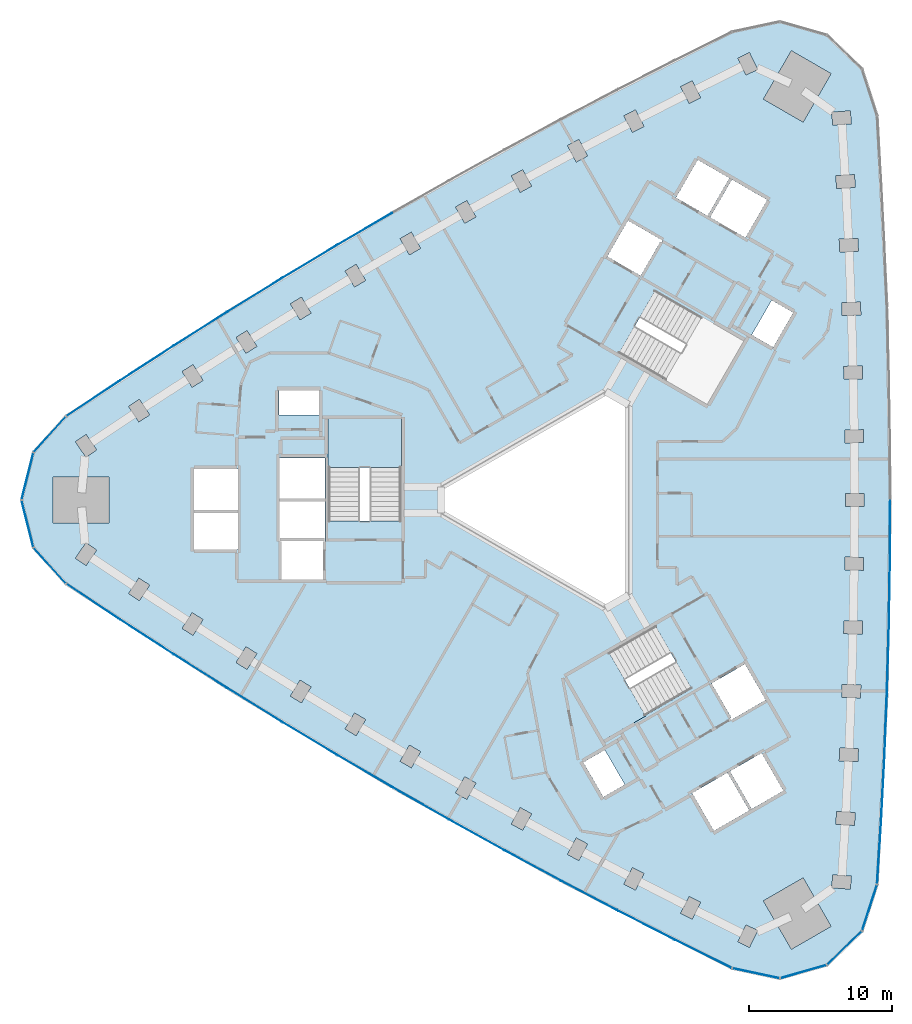
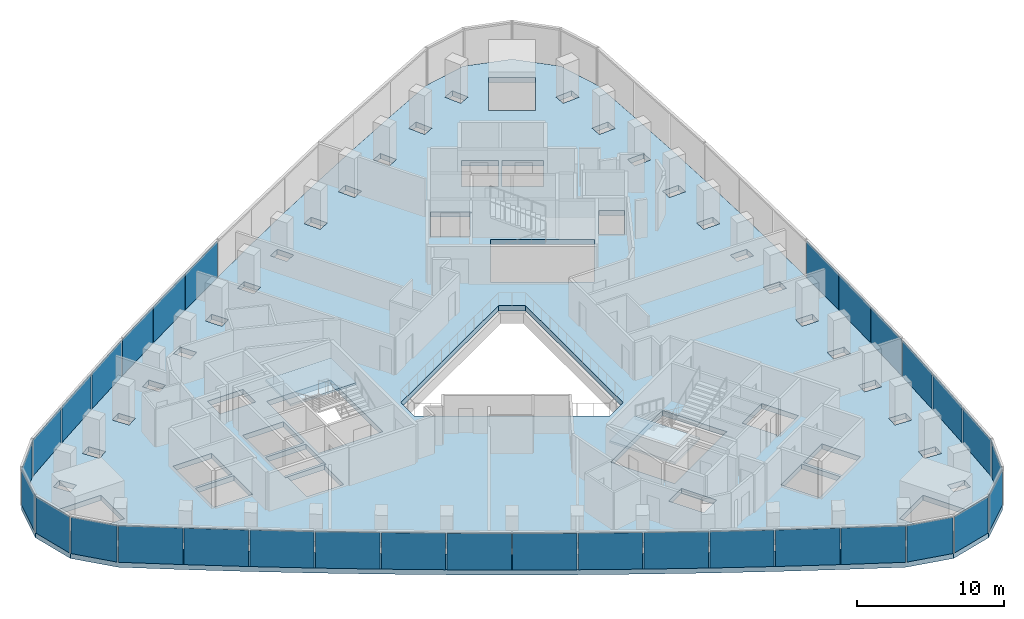
# One storey, part 6 of 12: 32 plates, 3 slabs, 5 elements without a shape of their own.
"""IFC4 building model written with IfcOpenShell, lengths in metres."""

from ifc_helpers import new_model, si_unit, direction, frame, origin, origin_2d, place, context, subcontext, project, spatial, polyline, rectangle, outline, extrude, material, layer, layer_set, type_object, element, aggregate, save


model = new_model("IFC4")

# Units and contexts
model_context = context("Model", 3, precision=1e-05, world=origin(), true_north=direction((0.0, 1.0)))
body_context = subcontext(model_context, "Body", "Model", "MODEL_VIEW")
ifc_project = project(units=[si_unit("LENGTHUNIT", "METRE"), si_unit("AREAUNIT", "SQUARE_METRE"), si_unit("VOLUMEUNIT", "CUBIC_METRE"), si_unit("PLANEANGLEUNIT", "RADIAN"), si_unit("MASSUNIT", "GRAM", prefix="KILO")], contexts=[model_context])

# Site, building, storey
site_placement = place(None, origin())
site = spatial("IfcSite", under=ifc_project, at=site_placement, CompositionType="ELEMENT")
building_placement = place(site_placement, origin())
building = spatial("IfcBuilding", under=site, at=building_placement, Name="Tamra Quay Hotel Tower", CompositionType="ELEMENT")
storey_placement = place(building_placement, frame((0.0, 0.0, 93.800048828125)))
storey = spatial("IfcBuildingStorey", under=building, at=storey_placement, Name="L22", CompositionType="ELEMENT", Elevation=93.800048828125)

# Stair, slab
ifc_material_1 = material(Name="Exit stair 2200 24 risers 150.0 going 342")
stair_type = type_object("IfcStairType", Name="Exit stair 2200 24 risers 150.0 going 342", PredefinedType="HALF_TURN_STAIR", material=ifc_material_1)
stair_1_placement = place(storey_placement, origin())
stair_1 = element("IfcStair", 1, at=stair_1_placement, inside=storey, type_object=stair_type, Name="L22 Exit stair ST3", PredefinedType="HALF_TURN_STAIR")
ifc_material_2 = material(Name="Concrete M70", Category="concrete")
ifc_layer_1 = layer(ifc_material_2, 0.175048828125)
ifc_layer_set_1 = layer_set([ifc_layer_1], Name="Concrete M70 stair landing 180")
slab_type_1 = type_object("IfcSlabType", Name="Concrete M70 stair landing 180", PredefinedType="LANDING", material=ifc_layer_set_1)
slab_1_placement = place(storey_placement, frame((0.0, 0.0, 1.625)))
slab_1 = element("IfcSlab", 2, at=slab_1_placement, type_object=slab_type_1, Name="ST3 landing 1", PredefinedType="LANDING", context=body_context, shape_type="SweptSolid", body=[
    extrude(outline(polyline([(-10.932373046875, 2.261962890625), (-10.932373046875, 5.679931640625), (-16.09130859375, 5.679931640625), (-16.09130859375, 2.261962890625), (-10.932373046875, 2.261962890625)])), origin(), (0.0, 0.0, 1.0), 0.175048828125),
])
aggregate(stair_1, [slab_1])

stair_2_placement = place(storey_placement, origin())
stair_2 = element("IfcStair", 3, at=stair_2_placement, inside=storey, type_object=stair_type, Name="L22 Exit stair ST2", PredefinedType="HALF_TURN_STAIR")
slab_2_placement = place(storey_placement, frame((0.0, 0.0, 1.625)))
slab_2 = element("IfcSlab", 4, at=slab_2_placement, type_object=slab_type_1, Name="ST2 landing 1", PredefinedType="LANDING", context=body_context, shape_type="SweptSolid", body=[
    extrude(outline(polyline([(3.50732421875, -10.5986328125), (0.547119140625, -12.3076171875), (3.126708984375, -16.775390625), (6.086669921875, -15.06640625), (3.50732421875, -10.5986328125)])), origin(), (0.0, 0.0, 1.0), 0.175048828125),
])
aggregate(stair_2, [slab_2])

# Slab
ifc_material_3 = material(Name="Concrete M60", Category="concrete")
ifc_layer_2 = layer(ifc_material_3, 0.425048828125)
ifc_layer_set_2 = layer_set([ifc_layer_2], Name="FLOOR SLAB PT 425")
slab_type_2 = type_object("IfcSlabType", Name="FLOOR SLAB PT 425", PredefinedType="FLOOR", material=ifc_layer_set_2)
slab_3_placement = place(storey_placement, frame((0.0, 0.0, -0.425048828125)))
element("IfcSlab", 5, at=slab_3_placement, inside=storey, type_object=slab_type_2, Name="SLAB-L22", PredefinedType="FLOOR", context=body_context, shape_type="SweptSolid", body=[
    extrude(outline(polyline([(22.506591796875, 22.354248046875), (22.736083984375, 17.886962890625), (22.914794921875, 13.417236328125), (23.04248046875, 8.94580078125), (23.119140625, 4.47314453125), (23.144775390625, 0.0), (23.119140625, -4.47314453125), (23.04248046875, -8.94580078125), (22.914794921875, -13.417236328125), (22.736083984375, -17.886962890625), (22.506591796875, -22.354248046875), (22.226318359375, -26.81787109375), (21.1767578125, -30.062255859375), (18.724609375, -32.43212890625), (15.4462890625, -33.370849609375), (12.11181640625, -32.657470703125), (8.10595703125, -30.66845703125), (4.122314453125, -28.633544921875), (0.162109375, -26.553466796875), (-3.77392578125, -24.42822265625), (-7.685791015625, -22.25830078125), (-11.572509765625, -20.0439453125), (-15.43359375, -17.78515625), (-19.2685546875, -15.482666015625), (-23.0771484375, -13.13623046875), (-26.858642578125, -10.74658203125), (-30.612548828125, -8.314208984375), (-34.337890625, -5.839599609375), (-36.623046875, -3.308349609375), (-37.449462890625, 0.0), (-36.623046875, 3.308349609375), (-34.337890625, 5.839599609375), (-30.612548828125, 8.314208984375), (-26.858642578125, 10.74658203125), (-23.0771484375, 13.13623046875), (-19.2685546875, 15.482666015625), (-15.43359375, 17.78515625), (-11.572509765625, 20.0439453125), (-7.685791015625, 22.25830078125), (-3.77392578125, 24.42822265625), (0.162109375, 26.553466796875), (4.122314453125, 28.633544921875), (8.10595703125, 30.66845703125), (12.11181640625, 32.657470703125), (15.4462890625, 33.370849609375), (18.724609375, 32.43212890625), (21.1767578125, 30.062255859375), (22.226318359375, 26.81787109375), (22.506591796875, 22.354248046875)]), holes=[polyline([(-14.884521484375, -15.9765625), (-14.1103515625, -16.435302734375), (-13.447509765625, -15.317138671875), (-14.2216796875, -14.858154296875), (-14.884521484375, -15.9765625)]), polyline([(-18.0234375, -12.569580078125), (-18.698974609375, -13.680419921875), (-17.929931640625, -14.14794921875), (-17.25439453125, -13.037353515625), (-18.0234375, -12.569580078125)]), polyline([(-21.798583984375, -10.23779296875), (-22.487060546875, -11.340576171875), (-21.723388671875, -11.817138671875), (-21.03515625, -10.714111328125), (-21.798583984375, -10.23779296875)]), polyline([(-25.547119140625, -7.86279296875), (-26.248046875, -8.9580078125), (-25.489990234375, -9.443115234375), (-24.789306640625, -8.34814453125), (-25.547119140625, -7.86279296875)]), polyline([(-29.268310546875, -5.445556640625), (-29.981689453125, -6.532470703125), (-29.229248046875, -7.026123046875), (-28.51611328125, -5.939453125), (-29.268310546875, -5.445556640625)]), polyline([(-16.3173828125, -2.85498046875), (-19.4072265625, -2.85498046875), (-19.4072265625, -2.89306640625), (-19.307373046875, -2.89306640625), (-19.307373046875, -5.544921875), (-16.417236328125, -5.544921875), (-16.417236328125, -2.89306640625), (-16.3173828125, -2.89306640625), (-16.3173828125, -2.85498046875)]), polyline([(-32.96240234375, -2.986083984375), (-33.6875, -4.06494140625), (-32.9404296875, -4.56689453125), (-32.215576171875, -3.488037109375), (-32.96240234375, -2.986083984375)]), polyline([(-22.3671875, -3.445068359375), (-22.3671875, -0.905029296875), (-25.4072265625, -0.905029296875), (-25.4072265625, -3.445068359375), (-22.3671875, -3.445068359375)]), polyline([(-19.417236328125, -2.89306640625), (-19.417236328125, -2.64501953125), (-16.307373046875, -2.64501953125), (-16.307373046875, -2.89306640625), (-16.26708984375, -2.89306640625), (-16.26708984375, -0.10498046875), (-19.45751953125, -0.10498046875), (-19.45751953125, -2.89306640625), (-19.417236328125, -2.89306640625)]), polyline([(-31.36376953125, 1.60009765625), (-35.263671875, 1.60009765625), (-35.263671875, -1.60009765625), (-31.36376953125, -1.60009765625), (-31.36376953125, 1.60009765625)]), polyline([(-25.4072265625, -0.695068359375), (-22.3671875, -0.695068359375), (-22.3671875, 2.14501953125), (-25.4072265625, 2.14501953125), (-25.4072265625, -0.695068359375)]), polyline([(-19.45751953125, 0.10498046875), (-16.26708984375, 0.10498046875), (-16.26708984375, 2.945068359375), (-19.45751953125, 2.945068359375), (-19.45751953125, 0.10498046875)]), polyline([(-16.036376953125, -1.455078125), (-10.9873046875, -1.455078125), (-10.9873046875, 5.625), (-16.036376953125, 5.625), (-16.036376953125, -1.455078125)]), polyline([(-32.215576171875, 3.488037109375), (-32.9404296875, 4.56689453125), (-33.6875, 4.06494140625), (-32.96240234375, 2.986083984375), (-32.215576171875, 3.488037109375)]), polyline([(-28.51611328125, 5.939453125), (-29.229248046875, 7.026123046875), (-29.981689453125, 6.532470703125), (-29.268310546875, 5.445556640625), (-28.51611328125, 5.939453125)]), polyline([(-19.50732421875, 7.64501953125), (-19.50732421875, 5.9150390625), (-16.71728515625, 5.9150390625), (-16.71728515625, 7.64501953125), (-19.50732421875, 7.64501953125)]), polyline([(-24.789306640625, 8.34814453125), (-25.489990234375, 9.443115234375), (-26.248046875, 8.9580078125), (-25.547119140625, 7.86279296875), (-24.789306640625, 8.34814453125)]), polyline([(-21.03515625, 10.714111328125), (-21.723388671875, 11.817138671875), (-22.487060546875, 11.340576171875), (-21.798583984375, 10.23779296875), (-21.03515625, 10.714111328125)]), polyline([(-17.25439453125, 13.037353515625), (-17.929931640625, 14.14794921875), (-18.698974609375, 13.680419921875), (-18.0234375, 12.569580078125), (-17.25439453125, 13.037353515625)]), polyline([(-13.447509765625, 15.317138671875), (-14.1103515625, 16.435302734375), (-14.884521484375, 15.9765625), (-14.2216796875, 14.858154296875), (-13.447509765625, 15.317138671875)]), polyline([(9.1142578125, -27.665283203125), (8.52978515625, -28.826416015625), (9.33349609375, -29.231201171875), (9.918212890625, -28.070068359375), (9.1142578125, -27.665283203125)]), polyline([(5.164794921875, -25.64208984375), (4.567138671875, -26.79638671875), (5.3662109375, -27.210205078125), (5.964111328125, -26.055908203125), (5.164794921875, -25.64208984375)]), polyline([(1.23876953125, -23.57421875), (0.627685546875, -24.721435546875), (1.422119140625, -25.14453125), (2.033203125, -23.9970703125), (1.23876953125, -23.57421875)]), polyline([(-2.663330078125, -21.46142578125), (-3.28759765625, -22.601806640625), (-2.498046875, -23.033935546875), (-1.873779296875, -21.8935546875), (-2.663330078125, -21.46142578125)]), polyline([(13.3056640625, -21.65576171875), (11.78564453125, -19.02294921875), (9.325927734375, -20.443115234375), (10.845947265625, -23.075927734375), (13.3056640625, -21.65576171875)]), polyline([(-6.541259765625, -19.304443359375), (-7.17822265625, -20.437744140625), (-6.393798828125, -20.878662109375), (-5.756591796875, -19.74560546875), (-6.541259765625, -19.304443359375)]), polyline([(1.73779296875, -18.300048828125), (3.1328125, -20.71630859375), (4.631103515625, -19.851318359375), (3.236083984375, -17.43505859375), (1.73779296875, -18.300048828125)]), polyline([(-10.394287109375, -17.103271484375), (-11.044189453125, -18.22900390625), (-10.264892578125, -18.67919921875), (-9.61474609375, -17.55322265625), (-10.394287109375, -17.103271484375)]), polyline([(10.68115234375, -12.790283203125), (12.05615234375, -15.171875), (11.969482421875, -15.2216796875), (12.03955078125, -15.343017578125), (14.455810546875, -13.947998046875), (13.0107421875, -11.4453125), (10.68115234375, -12.790283203125)]), polyline([(9.2783203125, -13.160400390625), (6.75390625, -8.78759765625), (0.622314453125, -12.32763671875), (3.146728515625, -16.7001953125), (9.2783203125, -13.160400390625)]), polyline([(-8.199951171875, 0.923828125), (-8.199951171875, -0.923828125), (3.300048828125, -7.563232421875), (4.89990234375, -6.639404296875), (4.89990234375, 6.639404296875), (3.300048828125, 7.563232421875), (-8.199951171875, 0.923828125)]), polyline([(6.758056640625, 14.615478515625), (4.2333984375, 10.242919921875), (10.364990234375, 6.702880859375), (12.889404296875, 11.075439453125), (6.758056640625, 14.615478515625)]), polyline([(5.736083984375, 15.645263671875), (7.111083984375, 18.02685546875), (7.19775390625, 17.976806640625), (7.267578125, 18.09814453125), (4.8515625, 19.4931640625), (3.406494140625, 16.990234375), (5.736083984375, 15.645263671875)]), polyline([(-9.61474609375, 17.55322265625), (-10.264892578125, 18.67919921875), (-11.044189453125, 18.22900390625), (-10.394287109375, 17.103271484375), (-9.61474609375, 17.55322265625)]), polyline([(-5.756591796875, 19.74560546875), (-6.393798828125, 20.878662109375), (-7.17822265625, 20.437744140625), (-6.541259765625, 19.304443359375), (-5.756591796875, 19.74560546875)]), polyline([(8.2001953125, 21.093017578125), (10.39990234375, 19.822998046875), (11.919921875, 22.455810546875), (9.72021484375, 23.725830078125), (8.2001953125, 21.093017578125)]), polyline([(-1.873779296875, 21.8935546875), (-2.498046875, 23.033935546875), (-3.28759765625, 22.601806640625), (-2.663330078125, 21.46142578125), (-1.873779296875, 21.8935546875)]), polyline([(2.033203125, 23.9970703125), (1.422119140625, 25.14453125), (0.627685546875, 24.721435546875), (1.23876953125, 23.57421875), (2.033203125, 23.9970703125)]), polyline([(5.964111328125, 26.055908203125), (5.3662109375, 27.210205078125), (4.567138671875, 26.79638671875), (5.164794921875, 25.64208984375), (5.964111328125, 26.055908203125)]), polyline([(9.918212890625, 28.070068359375), (9.33349609375, 29.231201171875), (8.52978515625, 28.826416015625), (9.1142578125, 27.665283203125), (9.918212890625, 28.070068359375)]), polyline([(13.0869140625, -29.643310546875), (12.51513671875, -30.810791015625), (13.323486328125, -31.206787109375), (13.895263671875, -30.039306640625), (13.0869140625, -29.643310546875)]), polyline([(14.296142578125, -27.9619140625), (16.24609375, -31.339111328125), (19.017333984375, -29.7392578125), (17.0673828125, -26.36181640625), (14.296142578125, -27.9619140625)]), polyline([(19.067138671875, -27.05322265625), (20.3642578125, -27.141845703125), (20.42529296875, -26.243896484375), (19.12841796875, -26.155517578125), (19.067138671875, -27.05322265625)]), polyline([(19.350341796875, -22.624267578125), (20.648193359375, -22.698486328125), (20.699462890625, -21.800048828125), (19.401611328125, -21.725830078125), (19.350341796875, -22.624267578125)]), polyline([(14.1669921875, -17.648193359375), (11.96728515625, -18.91796875), (13.487548828125, -21.55078125), (15.68701171875, -20.281005859375), (14.1669921875, -17.648193359375)]), polyline([(20.8818359375, -18.25244140625), (20.9228515625, -17.353515625), (19.624267578125, -17.2939453125), (19.5830078125, -18.193115234375), (20.8818359375, -18.25244140625)]), polyline([(19.765380859375, -13.75927734375), (21.064697265625, -13.803955078125), (21.095703125, -12.904541015625), (19.79638671875, -12.85986328125), (19.765380859375, -13.75927734375)]), polyline([(19.897216796875, -9.323974609375), (21.197021484375, -9.353759765625), (21.217529296875, -8.453857421875), (19.91796875, -8.424072265625), (19.897216796875, -9.323974609375)]), polyline([(19.978515625, -4.88720703125), (21.2783203125, -4.902099609375), (21.288818359375, -4.002197265625), (19.98876953125, -3.9873046875), (19.978515625, -4.88720703125)]), polyline([(20.009033203125, -0.449951171875), (21.30908203125, -0.449951171875), (21.30908203125, 0.449951171875), (20.009033203125, 0.449951171875), (20.009033203125, -0.449951171875)]), polyline([(19.98876953125, 3.9873046875), (21.288818359375, 4.002197265625), (21.2783203125, 4.902099609375), (19.978515625, 4.88720703125), (19.98876953125, 3.9873046875)]), polyline([(19.91796875, 8.424072265625), (21.217529296875, 8.453857421875), (21.197021484375, 9.353759765625), (19.897216796875, 9.323974609375), (19.91796875, 8.424072265625)]), polyline([(14.9794921875, 10.655029296875), (16.37451171875, 13.0712890625), (14.876220703125, 13.936279296875), (13.481201171875, 11.52001953125), (14.9794921875, 10.655029296875)]), polyline([(19.79638671875, 12.85986328125), (21.095703125, 12.904541015625), (21.064697265625, 13.803955078125), (19.765380859375, 13.75927734375), (19.79638671875, 12.85986328125)]), polyline([(19.624267578125, 17.2939453125), (20.9228515625, 17.353515625), (20.8818359375, 18.25244140625), (19.5830078125, 18.193115234375), (19.624267578125, 17.2939453125)]), polyline([(12.101806640625, 22.350830078125), (10.58154296875, 19.718017578125), (13.041259765625, 18.298095703125), (14.561279296875, 20.930908203125), (12.101806640625, 22.350830078125)]), polyline([(19.401611328125, 21.725830078125), (20.699462890625, 21.800048828125), (20.648193359375, 22.698486328125), (19.350341796875, 22.624267578125), (19.401611328125, 21.725830078125)]), polyline([(19.12841796875, 26.155517578125), (20.42529296875, 26.243896484375), (20.3642578125, 27.141845703125), (19.067138671875, 27.05322265625), (19.12841796875, 26.155517578125)]), polyline([(17.0673828125, 26.36181640625), (19.017333984375, 29.7392578125), (16.24609375, 31.339111328125), (14.296142578125, 27.9619140625), (17.0673828125, 26.36181640625)]), polyline([(13.895263671875, 30.039306640625), (13.323486328125, 31.206787109375), (12.51513671875, 30.810791015625), (13.0869140625, 29.643310546875), (13.895263671875, 30.039306640625)])]), origin(), (0.0, 0.0, 1.0), 0.425048828125),
])

# Curtain wall, plates
ifc_material_4 = material(Name="Aluminium 6063 anodised dark grey", Category="aluminium")
curtain_wall_type_1 = type_object("IfcCurtainWallType", Name="CW1 CURTAIN WALL", PredefinedType="NOTDEFINED", material=ifc_material_4)
curtain_wall_1_placement = place(storey_placement, origin())
curtain_wall_1 = element("IfcCurtainWall", 6, at=curtain_wall_1_placement, inside=storey, type_object=curtain_wall_type_1, Name="CW1 east face L22", PredefinedType="NOTDEFINED")
ifc_material_5 = material(Name="Glass clear laminated low-iron", Category="glass")
ifc_layer_3 = layer(ifc_material_5, 0.033935546875)
ifc_layer_set_3 = layer_set([ifc_layer_3], Name="GLASS PANEL CW1 Z2")
plate_type_1 = type_object("IfcPlateType", Name="GLASS PANEL CW1 Z2", PredefinedType="CURTAIN_PANEL", material=ifc_layer_set_3)
plate_1_placement = place(storey_placement, frame((22.366455078125, -24.5859375, 0.0), z_axis=(0.0, 0.0, 1.0), x_axis=(0.062669917068, 0.998034308776, 0.0)))
plate_1 = element("IfcPlate", 7, at=plate_1_placement, type_object=plate_type_1, Name="CW1 glass L22.E.1", PredefinedType="CURTAIN_PANEL", context=body_context, shape_type="SweptSolid", body=[
    extrude(rectangle(XDim=4.372314453125, YDim=0.033935546875, at=origin_2d()), origin(), (0.0, 0.0, 1.0), 3.034912109375),
])
plate_2_placement = place(storey_placement, frame((22.621337890625, -20.12060546875, 0.0), z_axis=(0.0, 0.0, 1.0), x_axis=(0.051320736558, 0.998682222731, 0.0)))
plate_2 = element("IfcPlate", 8, at=plate_2_placement, type_object=plate_type_1, Name="CW1 glass L22.E.2", PredefinedType="CURTAIN_PANEL", context=body_context, shape_type="SweptSolid", body=[
    extrude(rectangle(XDim=4.373291015625, YDim=0.033935546875, at=origin_2d()), origin(), (0.0, 0.0, 1.0), 3.034912109375),
])
plate_3_placement = place(storey_placement, frame((22.825439453125, -15.652099609375, 0.0), z_axis=(0.0, 0.0, 1.0), x_axis=(0.039943885581, 0.99920192454, 0.0)))
plate_3 = element("IfcPlate", 9, at=plate_3_placement, type_object=plate_type_1, Name="CW1 glass L22.E.3", PredefinedType="CURTAIN_PANEL", context=body_context, shape_type="SweptSolid", body=[
    extrude(rectangle(XDim=4.373291015625, YDim=0.033935546875, at=origin_2d()), origin(), (0.0, 0.0, 1.0), 3.034912109375),
])
plate_4_placement = place(storey_placement, frame((22.978759765625, -11.181396484375, 0.0), z_axis=(0.0, 0.0, 1.0), x_axis=(0.028546324212, 0.999592470647, 0.0)))
plate_4 = element("IfcPlate", 10, at=plate_4_placement, type_object=plate_type_1, Name="CW1 glass L22.E.4", PredefinedType="CURTAIN_PANEL", context=body_context, shape_type="SweptSolid", body=[
    extrude(rectangle(XDim=4.373291015625, YDim=0.033935546875, at=origin_2d()), origin(), (0.0, 0.0, 1.0), 3.034912109375),
])
plate_5_placement = place(storey_placement, frame((23.080810546875, -6.70947265625, 0.0), z_axis=(0.0, 0.0, 1.0), x_axis=(0.017133948461, 0.99985320313, 0.0)))
plate_5 = element("IfcPlate", 11, at=plate_5_placement, type_object=plate_type_1, Name="CW1 glass L22.E.5", PredefinedType="CURTAIN_PANEL", context=body_context, shape_type="SweptSolid", body=[
    extrude(rectangle(XDim=4.373291015625, YDim=0.033935546875, at=origin_2d()), origin(), (0.0, 0.0, 1.0), 3.034912109375),
])
plate_6_placement = place(storey_placement, frame((23.132080078125, -2.236572265625, 0.0), z_axis=(0.0, 0.0, 1.0), x_axis=(0.00571269185, 0.999983682443, 0.0)))
plate_6 = element("IfcPlate", 12, at=plate_6_placement, type_object=plate_type_1, Name="CW1 glass L22.E.6", PredefinedType="CURTAIN_PANEL", context=body_context, shape_type="SweptSolid", body=[
    extrude(rectangle(XDim=4.373291015625, YDim=0.033935546875, at=origin_2d()), origin(), (0.0, 0.0, 1.0), 3.034912109375),
])
aggregate(curtain_wall_1, [plate_1, plate_2, plate_3, plate_4, plate_5, plate_6])

curtain_wall_type_2 = type_object("IfcCurtainWallType", Name="CW2 CURTAIN WALL", PredefinedType="NOTDEFINED", material=ifc_material_4)
curtain_wall_2_placement = place(storey_placement, origin())
curtain_wall_2 = element("IfcCurtainWall", 13, at=curtain_wall_2_placement, inside=storey, type_object=curtain_wall_type_2, Name="CW2 north-west face L22", PredefinedType="NOTDEFINED")
ifc_layer_4 = layer(ifc_material_5, 0.033935546875)
ifc_layer_set_4 = layer_set([ifc_layer_4], Name="GLASS PANEL CW2 Z2")
plate_type_2 = type_object("IfcPlateType", Name="GLASS PANEL CW2 Z2", PredefinedType="CURTAIN_PANEL", material=ifc_layer_set_4)
plate_7_placement = place(storey_placement, frame((-13.5029296875, 18.91455078125, 0.0), z_axis=(0.0, 0.0, 1.0), x_axis=(-0.86315492644, -0.504939177488, 0.0)))
plate_7 = element("IfcPlate", 14, at=plate_7_placement, type_object=plate_type_2, Name="CW2 glass L22.NW.7", PredefinedType="CURTAIN_PANEL", context=body_context, shape_type="SweptSolid", body=[
    extrude(rectangle(XDim=4.373291015625, YDim=0.033935546875, at=origin_2d()), origin(), (0.0, 0.0, 1.0), 3.034912109375),
])
plate_8_placement = place(storey_placement, frame((-17.35107421875, 16.6337890625, 0.0), z_axis=(0.0, 0.0, 1.0), x_axis=(-0.857331299736, -0.5147650362, 0.0)))
plate_8 = element("IfcPlate", 15, at=plate_8_placement, type_object=plate_type_2, Name="CW2 glass L22.NW.8", PredefinedType="CURTAIN_PANEL", context=body_context, shape_type="SweptSolid", body=[
    extrude(rectangle(XDim=4.373291015625, YDim=0.033935546875, at=origin_2d()), origin(), (0.0, 0.0, 1.0), 3.034912109375),
])
plate_9_placement = place(storey_placement, frame((-21.1728515625, 14.309326171875, 0.0), z_axis=(0.0, 0.0, 1.0), x_axis=(-0.851399310906, -0.524518077276, 0.0)))
plate_9 = element("IfcPlate", 16, at=plate_9_placement, type_object=plate_type_2, Name="CW2 glass L22.NW.9", PredefinedType="CURTAIN_PANEL", context=body_context, shape_type="SweptSolid", body=[
    extrude(rectangle(XDim=4.373291015625, YDim=0.033935546875, at=origin_2d()), origin(), (0.0, 0.0, 1.0), 3.034912109375),
])
plate_10_placement = place(storey_placement, frame((-24.9677734375, 11.94140625, 0.0), z_axis=(0.0, 0.0, 1.0), x_axis=(-0.845362307372, -0.534193381909, 0.0)))
plate_10 = element("IfcPlate", 17, at=plate_10_placement, type_object=plate_type_2, Name="CW2 glass L22.NW.10", PredefinedType="CURTAIN_PANEL", context=body_context, shape_type="SweptSolid", body=[
    extrude(rectangle(XDim=4.373291015625, YDim=0.033935546875, at=origin_2d()), origin(), (0.0, 0.0, 1.0), 3.034912109375),
])
plate_11_placement = place(storey_placement, frame((-28.735595703125, 9.530517578125, 0.0), z_axis=(0.0, 0.0, 1.0), x_axis=(-0.839223806914, -0.543786172966, 0.0)))
plate_11 = element("IfcPlate", 18, at=plate_11_placement, type_object=plate_type_2, Name="CW2 glass L22.NW.11", PredefinedType="CURTAIN_PANEL", context=body_context, shape_type="SweptSolid", body=[
    extrude(rectangle(XDim=4.373291015625, YDim=0.033935546875, at=origin_2d()), origin(), (0.0, 0.0, 1.0), 3.034912109375),
])
plate_12_placement = place(storey_placement, frame((-32.475341796875, 7.076904296875, 0.0), z_axis=(0.0, 0.0, 1.0), x_axis=(-0.832988106715, -0.553290894622, 0.0)))
plate_12 = element("IfcPlate", 19, at=plate_12_placement, type_object=plate_type_2, Name="CW2 glass L22.NW.12", PredefinedType="CURTAIN_PANEL", context=body_context, shape_type="SweptSolid", body=[
    extrude(rectangle(XDim=4.372314453125, YDim=0.033935546875, at=origin_2d()), origin(), (0.0, 0.0, 1.0), 3.034912109375),
])
plate_13_placement = place(storey_placement, frame((-35.48046875, 4.573974609375, 0.0), z_axis=(0.0, 0.0, 1.0), x_axis=(-0.670087934649, -0.742281725383, 0.0)))
plate_13 = element("IfcPlate", 20, at=plate_13_placement, type_object=plate_type_2, Name="CW2 glass L22.NW.13", PredefinedType="CURTAIN_PANEL", context=body_context, shape_type="SweptSolid", body=[
    extrude(rectangle(XDim=3.31005859375, YDim=0.033935546875, at=origin_2d()), origin(), (0.0, 0.0, 1.0), 3.034912109375),
])
plate_14_placement = place(storey_placement, frame((-37.036376953125, 1.654296875, 0.0), z_axis=(0.0, 0.0, 1.0), x_axis=(-0.242338764242, -0.970191694123, 0.0)))
plate_14 = element("IfcPlate", 21, at=plate_14_placement, type_object=plate_type_2, Name="CW2 glass L22.NW.14", PredefinedType="CURTAIN_PANEL", context=body_context, shape_type="SweptSolid", body=[
    extrude(rectangle(XDim=3.31005859375, YDim=0.033935546875, at=origin_2d()), origin(), (0.0, 0.0, 1.0), 3.034912109375),
])
plate_15_placement = place(storey_placement, frame((-37.036376953125, -1.654296875, 0.0), z_axis=(0.0, 0.0, 1.0), x_axis=(0.242338764242, -0.970191694123, 0.0)))
plate_15 = element("IfcPlate", 22, at=plate_15_placement, type_object=plate_type_2, Name="CW2 glass L22.NW.15", PredefinedType="CURTAIN_PANEL", context=body_context, shape_type="SweptSolid", body=[
    extrude(rectangle(XDim=3.31005859375, YDim=0.033935546875, at=origin_2d()), origin(), (0.0, 0.0, 1.0), 3.034912109375),
])
plate_16_placement = place(storey_placement, frame((-35.48046875, -4.573974609375, 0.0), z_axis=(0.0, 0.0, 1.0), x_axis=(0.670087934649, -0.742281725383, 0.0)))
plate_16 = element("IfcPlate", 23, at=plate_16_placement, type_object=plate_type_2, Name="CW2 glass L22.NW.16", PredefinedType="CURTAIN_PANEL", context=body_context, shape_type="SweptSolid", body=[
    extrude(rectangle(XDim=3.31005859375, YDim=0.033935546875, at=origin_2d()), origin(), (0.0, 0.0, 1.0), 3.034912109375),
])
aggregate(curtain_wall_2, [plate_7, plate_8, plate_9, plate_10, plate_11, plate_12, plate_13, plate_14, plate_15, plate_16])

curtain_wall_type_3 = type_object("IfcCurtainWallType", Name="CW3 CURTAIN WALL", PredefinedType="NOTDEFINED", material=ifc_material_4)
curtain_wall_3_placement = place(storey_placement, origin())
curtain_wall_3 = element("IfcCurtainWall", 24, at=curtain_wall_3_placement, inside=storey, type_object=curtain_wall_type_3, Name="CW3 south-west face L22", PredefinedType="NOTDEFINED")
ifc_layer_5 = layer(ifc_material_5, 0.033935546875)
ifc_layer_set_5 = layer_set([ifc_layer_5], Name="GLASS PANEL CW3 Z2")
plate_type_3 = type_object("IfcPlateType", Name="GLASS PANEL CW3 Z2", PredefinedType="CURTAIN_PANEL", material=ifc_layer_set_5)
plate_17_placement = place(storey_placement, frame((-32.475341796875, -7.076904296875, 0.0), z_axis=(0.0, 0.0, 1.0), x_axis=(0.832988106715, -0.553290894622, 0.0)))
plate_17 = element("IfcPlate", 25, at=plate_17_placement, type_object=plate_type_3, Name="CW3 glass L22.SW.1", PredefinedType="CURTAIN_PANEL", context=body_context, shape_type="SweptSolid", body=[
    extrude(rectangle(XDim=4.372314453125, YDim=0.033935546875, at=origin_2d()), origin(), (0.0, 0.0, 1.0), 3.034912109375),
])
plate_18_placement = place(storey_placement, frame((-28.735595703125, -9.530517578125, 0.0), z_axis=(0.0, 0.0, 1.0), x_axis=(0.839223806914, -0.543786172966, 0.0)))
plate_18 = element("IfcPlate", 26, at=plate_18_placement, type_object=plate_type_3, Name="CW3 glass L22.SW.2", PredefinedType="CURTAIN_PANEL", context=body_context, shape_type="SweptSolid", body=[
    extrude(rectangle(XDim=4.373291015625, YDim=0.033935546875, at=origin_2d()), origin(), (0.0, 0.0, 1.0), 3.034912109375),
])
plate_19_placement = place(storey_placement, frame((-24.9677734375, -11.94140625, 0.0), z_axis=(0.0, 0.0, 1.0), x_axis=(0.845362307372, -0.534193381909, 0.0)))
plate_19 = element("IfcPlate", 27, at=plate_19_placement, type_object=plate_type_3, Name="CW3 glass L22.SW.3", PredefinedType="CURTAIN_PANEL", context=body_context, shape_type="SweptSolid", body=[
    extrude(rectangle(XDim=4.373291015625, YDim=0.033935546875, at=origin_2d()), origin(), (0.0, 0.0, 1.0), 3.034912109375),
])
plate_20_placement = place(storey_placement, frame((-21.1728515625, -14.309326171875, 0.0), z_axis=(0.0, 0.0, 1.0), x_axis=(0.851399310906, -0.524518077276, 0.0)))
plate_20 = element("IfcPlate", 28, at=plate_20_placement, type_object=plate_type_3, Name="CW3 glass L22.SW.4", PredefinedType="CURTAIN_PANEL", context=body_context, shape_type="SweptSolid", body=[
    extrude(rectangle(XDim=4.373291015625, YDim=0.033935546875, at=origin_2d()), origin(), (0.0, 0.0, 1.0), 3.034912109375),
])
plate_21_placement = place(storey_placement, frame((-17.35107421875, -16.6337890625, 0.0), z_axis=(0.0, 0.0, 1.0), x_axis=(0.857331299736, -0.5147650362, 0.0)))
plate_21 = element("IfcPlate", 29, at=plate_21_placement, type_object=plate_type_3, Name="CW3 glass L22.SW.5", PredefinedType="CURTAIN_PANEL", context=body_context, shape_type="SweptSolid", body=[
    extrude(rectangle(XDim=4.373291015625, YDim=0.033935546875, at=origin_2d()), origin(), (0.0, 0.0, 1.0), 3.034912109375),
])
plate_22_placement = place(storey_placement, frame((-13.5029296875, -18.91455078125, 0.0), z_axis=(0.0, 0.0, 1.0), x_axis=(0.86315492644, -0.504939177488, 0.0)))
plate_22 = element("IfcPlate", 30, at=plate_22_placement, type_object=plate_type_3, Name="CW3 glass L22.SW.6", PredefinedType="CURTAIN_PANEL", context=body_context, shape_type="SweptSolid", body=[
    extrude(rectangle(XDim=4.373291015625, YDim=0.033935546875, at=origin_2d()), origin(), (0.0, 0.0, 1.0), 3.034912109375),
])
plate_23_placement = place(storey_placement, frame((-9.629150390625, -21.151123046875, 0.0), z_axis=(0.0, 0.0, 1.0), x_axis=(0.86886761829, -0.495044504955, 0.0)))
plate_23 = element("IfcPlate", 31, at=plate_23_placement, type_object=plate_type_3, Name="CW3 glass L22.SW.7", PredefinedType="CURTAIN_PANEL", context=body_context, shape_type="SweptSolid", body=[
    extrude(rectangle(XDim=4.373291015625, YDim=0.033935546875, at=origin_2d()), origin(), (0.0, 0.0, 1.0), 3.034912109375),
])
plate_24_placement = place(storey_placement, frame((-5.729736328125, -23.34326171875, 0.0), z_axis=(0.0, 0.0, 1.0), x_axis=(0.874465248197, -0.485088166931, 0.0)))
plate_24 = element("IfcPlate", 32, at=plate_24_placement, type_object=plate_type_3, Name="CW3 glass L22.SW.8", PredefinedType="CURTAIN_PANEL", context=body_context, shape_type="SweptSolid", body=[
    extrude(rectangle(XDim=4.373291015625, YDim=0.033935546875, at=origin_2d()), origin(), (0.0, 0.0, 1.0), 3.034912109375),
])
plate_25_placement = place(storey_placement, frame((-1.805908203125, -25.490966796875, 0.0), z_axis=(0.0, 0.0, 1.0), x_axis=(0.879945635118, -0.475074393371, 0.0)))
plate_25 = element("IfcPlate", 33, at=plate_25_placement, type_object=plate_type_3, Name="CW3 glass L22.SW.9", PredefinedType="CURTAIN_PANEL", context=body_context, shape_type="SweptSolid", body=[
    extrude(rectangle(XDim=4.373291015625, YDim=0.033935546875, at=origin_2d()), origin(), (0.0, 0.0, 1.0), 3.034912109375),
])
plate_26_placement = place(storey_placement, frame((2.142333984375, -27.593505859375, 0.0), z_axis=(0.0, 0.0, 1.0), x_axis=(0.885306192952, -0.465008542631, 0.0)))
plate_26 = element("IfcPlate", 34, at=plate_26_placement, type_object=plate_type_3, Name="CW3 glass L22.SW.10", PredefinedType="CURTAIN_PANEL", context=body_context, shape_type="SweptSolid", body=[
    extrude(rectangle(XDim=4.373291015625, YDim=0.033935546875, at=origin_2d()), origin(), (0.0, 0.0, 1.0), 3.034912109375),
])
plate_27_placement = place(storey_placement, frame((6.1142578125, -29.65087890625, 0.0), z_axis=(0.0, 0.0, 1.0), x_axis=(0.890544543472, -0.454896049765, 0.0)))
plate_27 = element("IfcPlate", 35, at=plate_27_placement, type_object=plate_type_3, Name="CW3 glass L22.SW.11", PredefinedType="CURTAIN_PANEL", context=body_context, shape_type="SweptSolid", body=[
    extrude(rectangle(XDim=4.373291015625, YDim=0.033935546875, at=origin_2d()), origin(), (0.0, 0.0, 1.0), 3.034912109375),
])
plate_28_placement = place(storey_placement, frame((10.10888671875, -31.662841796875, 0.0), z_axis=(0.0, 0.0, 1.0), x_axis=(0.895658023783, -0.444743414154, 0.0)))
plate_28 = element("IfcPlate", 36, at=plate_28_placement, type_object=plate_type_3, Name="CW3 glass L22.SW.12", PredefinedType="CURTAIN_PANEL", context=body_context, shape_type="SweptSolid", body=[
    extrude(rectangle(XDim=4.372314453125, YDim=0.033935546875, at=origin_2d()), origin(), (0.0, 0.0, 1.0), 3.034912109375),
])
plate_29_placement = place(storey_placement, frame((13.779052734375, -33.01416015625, 0.0), z_axis=(0.0, 0.0, 1.0), x_axis=(0.977878798271, -0.209172311484, 0.0)))
plate_29 = element("IfcPlate", 37, at=plate_29_placement, type_object=plate_type_3, Name="CW3 glass L22.SW.13", PredefinedType="CURTAIN_PANEL", context=body_context, shape_type="SweptSolid", body=[
    extrude(rectangle(XDim=3.31005859375, YDim=0.033935546875, at=origin_2d()), origin(), (0.0, 0.0, 1.0), 3.034912109375),
])
plate_30_placement = place(storey_placement, frame((17.08544921875, -32.9013671875, 0.0), z_axis=(0.0, 0.0, 1.0), x_axis=(0.961380035772, 0.275224320906, 0.0)))
plate_30 = element("IfcPlate", 38, at=plate_30_placement, type_object=plate_type_3, Name="CW3 glass L22.SW.14", PredefinedType="CURTAIN_PANEL", context=body_context, shape_type="SweptSolid", body=[
    extrude(rectangle(XDim=3.31005859375, YDim=0.033935546875, at=origin_2d()), origin(), (0.0, 0.0, 1.0), 3.034912109375),
])
plate_31_placement = place(storey_placement, frame((19.95068359375, -31.247314453125, 0.0), z_axis=(0.0, 0.0, 1.0), x_axis=(0.71904127153, 0.694967373217, 0.0)))
plate_31 = element("IfcPlate", 39, at=plate_31_placement, type_object=plate_type_3, Name="CW3 glass L22.SW.15", PredefinedType="CURTAIN_PANEL", context=body_context, shape_type="SweptSolid", body=[
    extrude(rectangle(XDim=3.31005859375, YDim=0.033935546875, at=origin_2d()), origin(), (0.0, 0.0, 1.0), 3.034912109375),
])
plate_32_placement = place(storey_placement, frame((21.70166015625, -28.43994140625, 0.0), z_axis=(0.0, 0.0, 1.0), x_axis=(0.307790863622, 0.951454036867, 0.0)))
plate_32 = element("IfcPlate", 40, at=plate_32_placement, type_object=plate_type_3, Name="CW3 glass L22.SW.16", PredefinedType="CURTAIN_PANEL", context=body_context, shape_type="SweptSolid", body=[
    extrude(rectangle(XDim=3.31005859375, YDim=0.033935546875, at=origin_2d()), origin(), (0.0, 0.0, 1.0), 3.034912109375),
])
aggregate(curtain_wall_3, [plate_17, plate_18, plate_19, plate_20, plate_21, plate_22, plate_23, plate_24, plate_25, plate_26, plate_27, plate_28, plate_29, plate_30, plate_31, plate_32])

save(model, "model.ifc")
